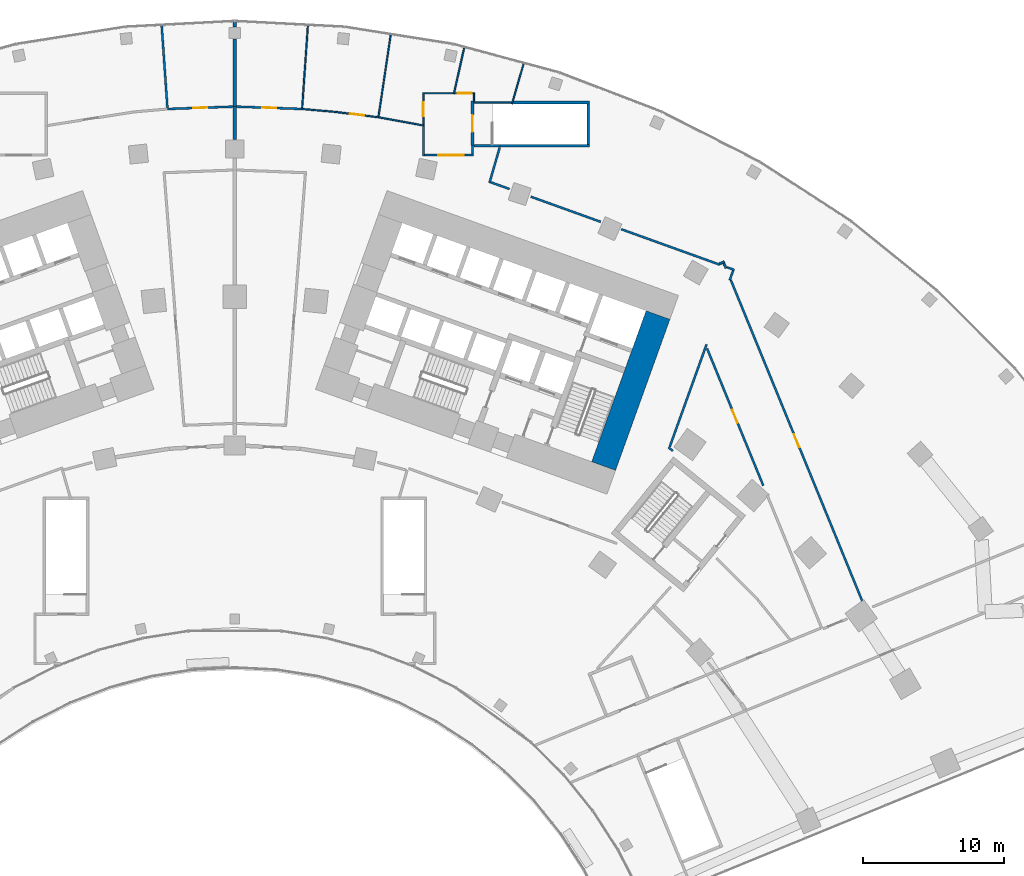
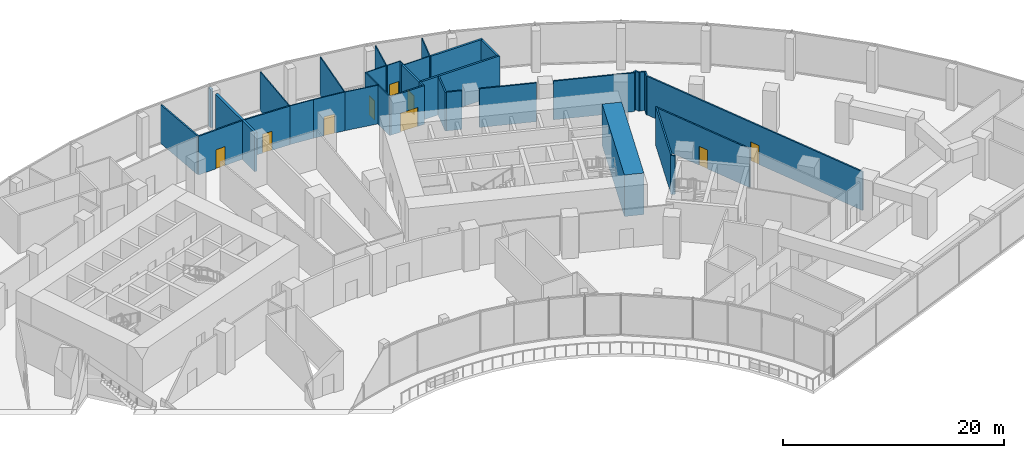
# One storey, part 28 of 33: 39 walls, 9 doors, 9 openings.
"""IFC4 building model written with IfcOpenShell, lengths in metres."""

from ifc_helpers import new_model, si_unit, direction, frame, frame_2d, origin, place, context, subcontext, project, spatial, rectangle, extrude, material, layer, layer_set, type_object, element, fill, save


model = new_model("IFC4")

# Units and contexts
model_context = context("Model", 3, precision=1e-05, world=origin(), true_north=direction((0.0, 1.0)))
body_context = subcontext(model_context, "Body", "Model", "MODEL_VIEW")
ifc_project = project(units=[si_unit("LENGTHUNIT", "METRE"), si_unit("AREAUNIT", "SQUARE_METRE"), si_unit("VOLUMEUNIT", "CUBIC_METRE"), si_unit("PLANEANGLEUNIT", "RADIAN"), si_unit("MASSUNIT", "GRAM", prefix="KILO")], contexts=[model_context])

# Site, building, storey
site_placement = place(None, origin())
site = spatial("IfcSite", under=ifc_project, at=site_placement, CompositionType="ELEMENT")
building_placement = place(site_placement, origin())
building = spatial("IfcBuilding", under=site, at=building_placement, Name="Stone Belt Terrace Tower", CompositionType="ELEMENT")
storey_placement = place(building_placement, frame((0.0, 0.0, 25.39990234375)))
storey = spatial("IfcBuildingStorey", under=building, at=storey_placement, Name="L05", CompositionType="ELEMENT", Elevation=25.39990234375)

# Walls
ifc_material_1 = material(Name="Concrete B30", Category="concrete")
ifc_layer_1 = layer(ifc_material_1, 0.25)
ifc_layer_set_1 = layer_set([ifc_layer_1], Name="Compartment wall 250")
wall_type_1 = type_object("IfcWallType", Name="Compartment wall 250", PredefinedType="SOLIDWALL", material=ifc_layer_set_1)
wall_1_placement = place(storey_placement, frame((0.0, 68.5, 0.0), z_axis=(0.0, 0.0, 1.0), x_axis=(0.0, 1.0, 0.0)))
element("IfcWall", 1, at=wall_1_placement, inside=storey, type_object=wall_type_1, Name="Compartment wall L05 10", PredefinedType="SOLIDWALL", context=body_context, shape_type="SweptSolid", body=[
    extrude(rectangle(XDim=4.807861328125, YDim=0.25, at=frame_2d((2.40380859375, 0.0))), origin(), (0.0, 0.0, 1.0), 4.280029296875),
])
wall_2_placement = place(storey_placement, frame((0.0, 74.14794921875, 0.0), z_axis=(0.0, 0.0, 1.0), x_axis=(0.0, 1.0, 0.0)))
element("IfcWall", 2, at=wall_2_placement, inside=storey, type_object=wall_type_1, Name="Compartment wall L05 10", PredefinedType="SOLIDWALL", context=body_context, shape_type="SweptSolid", body=[
    extrude(rectangle(XDim=0.35205078125, YDim=0.25, at=frame_2d((0.176025390625, 0.0))), origin(), (0.0, 0.0, 1.0), 4.280029296875),
])
ifc_material_2 = material(Name="Concrete B80", Category="concrete")
ifc_layer_2 = layer(ifc_material_2, 1.800048828125)
ifc_layer_set_2 = layer_set([ifc_layer_2], Name="Core wall 1800 B80")
wall_type_2 = type_object("IfcWallType", Name="Core wall 1800 B80", PredefinedType="SHEAR", material=ifc_layer_set_2)
wall_3_placement = place(storey_placement, frame((26.197509765625, 42.96728515625, 0.0), z_axis=(0.0, 0.0, 1.0), x_axis=(0.338625431531, 0.940921259788, 0.0)))
element("IfcWall", 3, at=wall_3_placement, inside=storey, type_object=wall_type_2, Name="Core B wall end_b L05", PredefinedType="SHEAR", context=body_context, shape_type="SweptSolid", body=[
    extrude(rectangle(XDim=11.400146484375, YDim=1.800048828125, at=frame_2d((5.7001953125, 0.0))), origin(), (0.0, 0.0, 1.0), 4.60009765625),
])
ifc_material_3 = material(Name="Fire-resistant glazing in steel frame", Category="steel")
ifc_layer_3 = layer(ifc_material_3, 0.25)
ifc_layer_set_3 = layer_set([ifc_layer_3], Name="Glazed compartment fire screen 250")
wall_type_3 = type_object("IfcWallType", Name="Glazed compartment fire screen 250", PredefinedType="PARTITIONING", material=ifc_layer_set_3)
wall_4_placement = place(storey_placement, frame((0.0, 66.158935546875, 0.0), z_axis=(0.0, 0.0, 1.0), x_axis=(0.0, 1.0, 0.0)))
element("IfcWall", 4, at=wall_4_placement, inside=storey, type_object=wall_type_3, Name="Compartment fire screen L05 9", PredefinedType="PARTITIONING", context=body_context, shape_type="SweptSolid", body=[
    extrude(rectangle(XDim=2.341064453125, YDim=0.25, at=frame_2d((1.17041015625, 0.0))), origin(), (0.0, 0.0, 1.0), 4.280029296875),
])
ifc_material_4 = material(Name="Gypsum board on steel stud partition", Category="steel")
ifc_layer_4 = layer(ifc_material_4, 0.14990234375)
ifc_layer_set_4 = layer_set([ifc_layer_4], Name="Podium partition 150")
wall_type_4 = type_object("IfcWallType", Name="Podium partition 150", PredefinedType="PARTITIONING", material=ifc_layer_set_4)
wall_5_placement = place(storey_placement, frame((-5.1962890625, 74.318603515625, 0.0), z_axis=(0.0, 0.0, 1.0), x_axis=(0.069353308763, -0.997592160436, 0.0)))
element("IfcWall", 5, at=wall_5_placement, inside=storey, type_object=wall_type_4, Name="Podium partition 150", PredefinedType="PARTITIONING", context=body_context, shape_type="SweptSolid", body=[
    extrude(rectangle(XDim=5.927978515625, YDim=0.14990234375, at=frame_2d((2.9638671875, 0.0))), origin(), (0.0, 0.0, 1.0), 4.280029296875),
])

# Wall, opening, door
wall_6_placement = place(storey_placement, frame((-4.778076171875, 68.330078125, 0.0), z_axis=(0.0, 0.0, 1.0), x_axis=(0.999367854262, 0.035551256896, 0.0)))
wall_6 = element("IfcWall", 6, at=wall_6_placement, inside=storey, type_object=wall_type_4, Name="Podium partition 150", PredefinedType="PARTITIONING", context=body_context, shape_type="SweptSolid", body=[
    extrude(rectangle(XDim=4.656005859375, YDim=0.14990234375, at=frame_2d((2.328125, 0.0))), origin(), (0.0, 0.0, 1.0), 4.280029296875),
])
opening_1_placement = place(wall_6_placement, frame((1.827880859375, 0.0, 0.0)))
opening_1 = element("IfcOpeningElement", 7, at=opening_1_placement, cuts=wall_6, Name="Opening L05-P12", PredefinedType="OPENING", context=body_context, shape_type="SweptSolid", body=[
    extrude(rectangle(XDim=1.0, YDim=2.10009765625, at=frame_2d((0.5, 1.050048828125))), frame((0.0, 0.0849609375, 0.0), z_axis=(0.0, -1.0, 0.0), x_axis=(1.0, 0.0, 0.0)), (0.0, 0.0, 1.0), 0.169921875),
])
ifc_material_5 = material(Name="Steel framed door leaf", Category="steel")
door_type_1 = type_object("IfcDoorType", Name="Podium door single 1000", OperationType="SINGLE_SWING_LEFT", PredefinedType="DOOR", material=ifc_material_5)
door_1_placement = place(opening_1_placement, origin())
door_1 = element("IfcDoor", 8, at=door_1_placement, inside=storey, type_object=door_type_1, Name="Podium door single 1000", OperationType="SINGLE_SWING_RIGHT", OverallHeight=2.10009765625, OverallWidth=1.0, PredefinedType="DOOR", context=body_context, shape_type="SweptSolid", body=[
    extrude(rectangle(XDim=1.0, YDim=2.10009765625, at=frame_2d((0.5, 1.050048828125))), frame((0.0, 0.02490234375, 0.0), z_axis=(0.0, -1.0, 0.0), x_axis=(1.0, 0.0, 0.0)), (0.0, 0.0, 1.0), 0.050048828125),
])
fill(opening_1, door_1)

wall_7_placement = place(storey_placement, frame((0.125, 68.49560546875, 0.0), z_axis=(0.0, 0.0, 1.0), x_axis=(0.999367854262, -0.035551256896, 0.0)))
wall_7 = element("IfcWall", 9, at=wall_7_placement, inside=storey, type_object=wall_type_4, Name="Podium partition 150", PredefinedType="PARTITIONING", context=body_context, shape_type="SweptSolid", body=[
    extrude(rectangle(XDim=4.656005859375, YDim=0.14990234375, at=frame_2d((2.328125, 0.0))), origin(), (0.0, 0.0, 1.0), 4.280029296875),
])
opening_2_placement = place(wall_7_placement, frame((1.827880859375, 0.0, 0.0)))
opening_2 = element("IfcOpeningElement", 10, at=opening_2_placement, cuts=wall_7, Name="Opening L05-P13", PredefinedType="OPENING", context=body_context, shape_type="SweptSolid", body=[
    extrude(rectangle(XDim=1.0, YDim=2.10009765625, at=frame_2d((0.5, 1.050048828125))), frame((0.0, 0.0849609375, 0.0), z_axis=(0.0, -1.0, 0.0), x_axis=(1.0, 0.0, 0.0)), (0.0, 0.0, 1.0), 0.169921875),
])
door_2_placement = place(opening_2_placement, origin())
door_2 = element("IfcDoor", 11, at=door_2_placement, inside=storey, type_object=door_type_1, Name="Podium door single 1000", OperationType="SINGLE_SWING_LEFT", OverallHeight=2.10009765625, OverallWidth=1.0, PredefinedType="DOOR", context=body_context, shape_type="SweptSolid", body=[
    extrude(rectangle(XDim=1.0, YDim=2.10009765625, at=frame_2d((0.5, 1.050048828125))), frame((0.0, 0.02490234375, 0.0), z_axis=(0.0, -1.0, 0.0), x_axis=(1.0, 0.0, 0.0)), (0.0, 0.0, 1.0), 0.050048828125),
])
fill(opening_2, door_2)

# Wall
wall_8_placement = place(storey_placement, frame((13.389892578125, 64.97509765625, 0.0), z_axis=(0.0, 0.0, 1.0), x_axis=(0.0, 1.0, 0.0)))
element("IfcWall", 12, at=wall_8_placement, inside=storey, type_object=wall_type_4, Name="Podium partition 150", PredefinedType="PARTITIONING", context=body_context, shape_type="SweptSolid", body=[
    extrude(rectangle(XDim=2.134033203125, YDim=0.14990234375, at=frame_2d((1.06689453125, 0.0))), origin(), (0.0, 0.0, 1.0), 4.280029296875),
])

# Wall, opening, door
wall_9_placement = place(storey_placement, frame((13.465087890625, 65.050048828125, 0.0), z_axis=(0.0, 0.0, 1.0), x_axis=(1.0, 0.0, 0.0)))
wall_9 = element("IfcWall", 13, at=wall_9_placement, inside=storey, type_object=wall_type_4, Name="Podium partition 150", PredefinedType="PARTITIONING", context=body_context, shape_type="SweptSolid", body=[
    extrude(rectangle(XDim=3.5, YDim=0.14990234375, at=frame_2d((1.75, 0.0))), origin(), (0.0, 0.0, 1.0), 4.280029296875),
])
opening_3_placement = place(wall_9_placement, frame((0.989990234375, 0.0, 0.0)))
opening_3 = element("IfcOpeningElement", 14, at=opening_3_placement, cuts=wall_9, Name="Opening L05-P37", PredefinedType="OPENING", context=body_context, shape_type="SweptSolid", body=[
    extrude(rectangle(XDim=1.800048828125, YDim=2.10009765625, at=frame_2d((0.89990234375, 1.050048828125))), frame((0.0, 0.0849609375, 0.0), z_axis=(0.0, -1.0, 0.0), x_axis=(1.0, 0.0, 0.0)), (0.0, 0.0, 1.0), 0.169921875),
])
door_type_2 = type_object("IfcDoorType", Name="Podium door double 1800", OperationType="DOUBLE_DOOR_SINGLE_SWING", PredefinedType="DOOR", material=ifc_material_5)
door_3_placement = place(opening_3_placement, origin())
door_3 = element("IfcDoor", 15, at=door_3_placement, inside=storey, type_object=door_type_2, Name="Podium door double 1800", OperationType="DOUBLE_DOOR_SINGLE_SWING", OverallHeight=2.10009765625, OverallWidth=1.800048828125, PredefinedType="DOOR", context=body_context, shape_type="SweptSolid", body=[
    extrude(rectangle(XDim=1.800048828125, YDim=2.10009765625, at=frame_2d((0.89990234375, 1.050048828125))), frame((0.0, 0.02490234375, 0.0), z_axis=(0.0, -1.0, 0.0), x_axis=(1.0, 0.0, 0.0)), (0.0, 0.0, 1.0), 0.050048828125),
])
fill(opening_3, door_3)

# Walls
wall_10_placement = place(storey_placement, frame((16.889892578125, 65.125, 0.0), z_axis=(0.0, 0.0, 1.0), x_axis=(0.0, 1.0, 0.0)))
element("IfcWall", 16, at=wall_10_placement, inside=storey, type_object=wall_type_4, Name="Podium partition 150", PredefinedType="PARTITIONING", context=body_context, shape_type="SweptSolid", body=[
    extrude(rectangle(XDim=0.594970703125, YDim=0.14990234375, at=frame_2d((0.29736328125, 0.0))), origin(), (0.0, 0.0, 1.0), 4.280029296875),
])
wall_11_placement = place(storey_placement, frame((18.089111328125, 63.077880859375, 0.0), z_axis=(0.0, 0.0, 1.0), x_axis=(0.276760808733, 0.960938840275, 0.0)))
element("IfcWall", 17, at=wall_11_placement, inside=storey, type_object=wall_type_4, Name="Podium partition 150", PredefinedType="PARTITIONING", context=body_context, shape_type="SweptSolid", body=[
    extrude(rectangle(XDim=2.62353515625, YDim=0.14990234375, at=frame_2d((1.311767578125, 0.0))), origin(), (0.0, 0.0, 1.0), 4.280029296875),
])
wall_12_placement = place(storey_placement, frame((18.1806640625, 63.12451171875, 0.0), z_axis=(0.0, 0.0, 1.0), x_axis=(0.940986326976, -0.338444578098, 0.0)))
element("IfcWall", 18, at=wall_12_placement, inside=storey, type_object=wall_type_4, Name="Podium partition 150", PredefinedType="PARTITIONING", context=body_context, shape_type="SweptSolid", body=[
    extrude(rectangle(XDim=1.415283203125, YDim=0.14990234375, at=frame_2d((0.70751953125, 0.0))), origin(), (0.0, 0.0, 1.0), 4.280029296875),
])
wall_13_placement = place(storey_placement, frame((21.0263671875, 62.1005859375, 0.0), z_axis=(0.0, 0.0, 1.0), x_axis=(0.940943450527, -0.338563764909, 0.0)))
element("IfcWall", 19, at=wall_13_placement, inside=storey, type_object=wall_type_4, Name="Podium partition 150", PredefinedType="PARTITIONING", context=body_context, shape_type="SweptSolid", body=[
    extrude(rectangle(XDim=5.27490234375, YDim=0.14990234375, at=frame_2d((2.637451171875, 0.0))), origin(), (0.0, 0.0, 1.0), 4.280029296875),
])
wall_14_placement = place(storey_placement, frame((27.44580078125, 59.790771484375, 0.0), z_axis=(0.0, 0.0, 1.0), x_axis=(0.940933828454, -0.338590505584, 0.0)))
element("IfcWall", 20, at=wall_14_placement, inside=storey, type_object=wall_type_4, Name="Podium partition 150", PredefinedType="PARTITIONING", context=body_context, shape_type="SweptSolid", body=[
    extrude(rectangle(XDim=7.441162109375, YDim=0.14990234375, at=frame_2d((3.720703125, 0.0))), origin(), (0.0, 0.0, 1.0), 4.280029296875),
])
wall_15_placement = place(storey_placement, frame((30.798828125, 44.301513671875, 0.0), z_axis=(0.0, 0.0, 1.0), x_axis=(0.76570486479, -0.643192086423, 0.0)))
element("IfcWall", 21, at=wall_15_placement, inside=storey, type_object=wall_type_4, Name="Podium partition 150", PredefinedType="PARTITIONING", context=body_context, shape_type="SweptSolid", body=[
    extrude(rectangle(XDim=0.406494140625, YDim=0.14990234375, at=frame_2d((0.203125, 0.0))), origin(), (0.0, 0.0, 1.0), 4.280029296875),
])
wall_16_placement = place(storey_placement, frame((30.893310546875, 44.342041015625, 0.0), z_axis=(0.0, 0.0, 1.0), x_axis=(0.338691469888, 0.940897490817, 0.0)))
element("IfcWall", 22, at=wall_16_placement, inside=storey, type_object=wall_type_4, Name="Podium partition 150", PredefinedType="PARTITIONING", context=body_context, shape_type="SweptSolid", body=[
    extrude(rectangle(XDim=7.719482421875, YDim=0.14990234375, at=frame_2d((3.85986328125, 0.0))), origin(), (0.0, 0.0, 1.0), 4.280029296875),
])

# Wall, opening, door
wall_17_placement = place(storey_placement, frame((33.54345703125, 51.320556640625, 0.0), z_axis=(0.0, 0.0, 1.0), x_axis=(0.379280396549, -0.925281784536, 0.0)))
wall_17 = element("IfcWall", 23, at=wall_17_placement, inside=storey, type_object=wall_type_4, Name="Podium partition 150", PredefinedType="PARTITIONING", context=body_context, shape_type="SweptSolid", body=[
    extrude(rectangle(XDim=10.5244140625, YDim=0.14990234375, at=frame_2d((5.26220703125, 0.0))), origin(), (0.0, 0.0, 1.0), 4.280029296875),
])
opening_4_placement = place(wall_17_placement, frame((4.72119140625, 0.0, 0.0)))
opening_4 = element("IfcOpeningElement", 24, at=opening_4_placement, cuts=wall_17, Name="Opening L05-P32", PredefinedType="OPENING", context=body_context, shape_type="SweptSolid", body=[
    extrude(rectangle(XDim=1.0, YDim=2.10009765625, at=frame_2d((0.5, 1.050048828125))), frame((0.0, 0.0849609375, 0.0), z_axis=(0.0, -1.0, 0.0), x_axis=(1.0, 0.0, 0.0)), (0.0, 0.0, 1.0), 0.169921875),
])
door_4_placement = place(opening_4_placement, origin())
door_4 = element("IfcDoor", 25, at=door_4_placement, inside=storey, type_object=door_type_1, Name="Podium door single 1000", OperationType="SINGLE_SWING_RIGHT", OverallHeight=2.10009765625, OverallWidth=1.0, PredefinedType="DOOR", context=body_context, shape_type="SweptSolid", body=[
    extrude(rectangle(XDim=1.0, YDim=2.10009765625, at=frame_2d((0.5, 1.050048828125))), frame((0.0, 0.02490234375, 0.0), z_axis=(0.0, -1.0, 0.0), x_axis=(1.0, 0.0, 0.0)), (0.0, 0.0, 1.0), 0.050048828125),
])
fill(opening_4, door_4)

# Walls
wall_18_placement = place(storey_placement, frame((34.446533203125, 57.351318359375, 0.0), z_axis=(0.0, 0.0, 1.0), x_axis=(0.931832991816, 0.362887414171, 0.0)))
element("IfcWall", 26, at=wall_18_placement, inside=storey, type_object=wall_type_4, Name="Podium partition 150", PredefinedType="PARTITIONING", context=body_context, shape_type="SweptSolid", body=[
    extrude(rectangle(XDim=0.34716796875, YDim=0.14990234375, at=frame_2d((0.173583984375, 0.0))), origin(), (0.0, 0.0, 1.0), 4.280029296875),
])
wall_19_placement = place(storey_placement, frame((34.72998046875, 57.381103515625, 0.0), z_axis=(0.0, 0.0, 1.0), x_axis=(0.401395188733, -0.915904963663, 0.0)))
element("IfcWall", 27, at=wall_19_placement, inside=storey, type_object=wall_type_4, Name="Podium partition 150", PredefinedType="PARTITIONING", context=body_context, shape_type="SweptSolid", body=[
    extrude(rectangle(XDim=0.377685546875, YDim=0.14990234375, at=frame_2d((0.18896484375, 0.0))), origin(), (0.0, 0.0, 1.0), 4.280029296875),
])
wall_20_placement = place(storey_placement, frame((34.937255859375, 57.0947265625, 0.0), z_axis=(0.0, 0.0, 1.0), x_axis=(0.940325382073, -0.340276616637, 0.0)))
element("IfcWall", 28, at=wall_20_placement, inside=storey, type_object=wall_type_4, Name="Podium partition 150", PredefinedType="PARTITIONING", context=body_context, shape_type="SweptSolid", body=[
    extrude(rectangle(XDim=0.58837890625, YDim=0.14990234375, at=frame_2d((0.294189453125, 0.0))), origin(), (0.0, 0.0, 1.0), 4.280029296875),
])
wall_21_placement = place(storey_placement, frame((35.152099609375, 56.174560546875, 0.0), z_axis=(0.0, 0.0, 1.0), x_axis=(0.338104492139, 0.941108576305, 0.0)))
element("IfcWall", 29, at=wall_21_placement, inside=storey, type_object=wall_type_4, Name="Podium partition 150", PredefinedType="PARTITIONING", context=body_context, shape_type="SweptSolid", body=[
    extrude(rectangle(XDim=0.717041015625, YDim=0.14990234375, at=frame_2d((0.3583984375, 0.0))), origin(), (0.0, 0.0, 1.0), 4.280029296875),
])

# Wall, opening, door
wall_22_placement = place(storey_placement, frame((35.232421875, 56.17626953125, 0.0), z_axis=(0.0, 0.0, 1.0), x_axis=(0.378909490347, -0.925433735134, 0.0)))
wall_22 = element("IfcWall", 30, at=wall_22_placement, inside=storey, type_object=wall_type_4, Name="Podium partition 150", PredefinedType="PARTITIONING", context=body_context, shape_type="SweptSolid", body=[
    extrude(rectangle(XDim=24.671142578125, YDim=0.14990234375, at=frame_2d((12.33544921875, 0.0))), origin(), (0.0, 0.0, 1.0), 4.280029296875),
])
opening_5_placement = place(wall_22_placement, frame((11.835693359375, 0.0, 0.0)))
opening_5 = element("IfcOpeningElement", 31, at=opening_5_placement, cuts=wall_22, Name="Opening L05-P31", PredefinedType="OPENING", context=body_context, shape_type="SweptSolid", body=[
    extrude(rectangle(XDim=1.0, YDim=2.10009765625, at=frame_2d((0.5, 1.050048828125))), frame((0.0, 0.0849609375, 0.0), z_axis=(0.0, -1.0, 0.0), x_axis=(1.0, 0.0, 0.0)), (0.0, 0.0, 1.0), 0.169921875),
])
door_5_placement = place(opening_5_placement, origin())
door_5 = element("IfcDoor", 32, at=door_5_placement, inside=storey, type_object=door_type_1, Name="Podium door single 1000", OperationType="SINGLE_SWING_LEFT", OverallHeight=2.10009765625, OverallWidth=1.0, PredefinedType="DOOR", context=body_context, shape_type="SweptSolid", body=[
    extrude(rectangle(XDim=1.0, YDim=2.10009765625, at=frame_2d((0.5, 1.050048828125))), frame((0.0, 0.02490234375, 0.0), z_axis=(0.0, -1.0, 0.0), x_axis=(1.0, 0.0, 0.0)), (0.0, 0.0, 1.0), 0.050048828125),
])
fill(opening_5, door_5)

ifc_layer_5 = layer(ifc_material_1, 0.199951171875)
ifc_layer_set_5 = layer_set([ifc_layer_5], Name="Podium stair and shaft wall 200")
wall_type_5 = type_object("IfcWallType", Name="Podium stair and shaft wall 200", PredefinedType="SOLIDWALL", material=ifc_layer_set_5)
wall_23_placement = place(storey_placement, frame((16.889892578125, 65.719970703125, 0.0), z_axis=(0.0, 0.0, 1.0), x_axis=(0.0, 1.0, 0.0)))
wall_23 = element("IfcWall", 33, at=wall_23_placement, inside=storey, type_object=wall_type_5, Name="Podium stair and shaft wall 200", PredefinedType="SOLIDWALL", context=body_context, shape_type="SweptSolid", body=[
    extrude(rectangle(XDim=3.159912109375, YDim=0.199951171875, at=frame_2d((1.580078125, 0.0))), origin(), (0.0, 0.0, 1.0), 4.280029296875),
])
opening_6_placement = place(wall_23_placement, frame((0.97998046875, 0.0, 0.0)))
opening_6 = element("IfcOpeningElement", 34, at=opening_6_placement, cuts=wall_23, Name="Opening L05-P08", PredefinedType="OPENING", context=body_context, shape_type="SweptSolid", body=[
    extrude(rectangle(XDim=1.199951171875, YDim=2.10009765625, at=frame_2d((0.60009765625, 1.050048828125))), frame((0.0, 0.10986328125, 0.0), z_axis=(0.0, -1.0, 0.0), x_axis=(1.0, 0.0, 0.0)), (0.0, 0.0, 1.0), 0.219970703125),
])
door_type_3 = type_object("IfcDoorType", Name="Podium door fire stair 1200", OperationType="SINGLE_SWING_LEFT", PredefinedType="DOOR", material=ifc_material_5)
door_6_placement = place(opening_6_placement, origin())
door_6 = element("IfcDoor", 35, at=door_6_placement, inside=storey, type_object=door_type_3, Name="Podium door fire stair 1200", OperationType="SINGLE_SWING_RIGHT", OverallHeight=2.10009765625, OverallWidth=1.199951171875, PredefinedType="DOOR", context=body_context, shape_type="SweptSolid", body=[
    extrude(rectangle(XDim=1.199951171875, YDim=2.10009765625, at=frame_2d((0.60009765625, 1.050048828125))), frame((0.0, 0.02490234375, 0.0), z_axis=(0.0, -1.0, 0.0), x_axis=(1.0, 0.0, 0.0)), (0.0, 0.0, 1.0), 0.050048828125),
])
fill(opening_6, door_6)

# Walls
wall_24_placement = place(storey_placement, frame((16.989990234375, 65.719970703125, 0.0), z_axis=(0.0, 0.0, 1.0), x_axis=(1.0, 0.0, 0.0)))
element("IfcWall", 36, at=wall_24_placement, inside=storey, type_object=wall_type_5, Name="Podium stair and shaft wall 200", PredefinedType="SOLIDWALL", context=body_context, shape_type="SweptSolid", body=[
    extrude(rectangle(XDim=1.847900390625, YDim=0.199951171875, at=frame_2d((0.923828125, 0.0))), origin(), (0.0, 0.0, 1.0), 4.280029296875),
])
wall_25_placement = place(storey_placement, frame((18.840087890625, 65.719970703125, 0.0), z_axis=(0.0, 0.0, 1.0), x_axis=(1.0, 0.0, 0.0)))
element("IfcWall", 37, at=wall_25_placement, inside=storey, type_object=wall_type_5, Name="Podium stair and shaft wall 200", PredefinedType="SOLIDWALL", context=body_context, shape_type="SweptSolid", body=[
    extrude(rectangle(XDim=6.369873046875, YDim=0.199951171875, at=frame_2d((3.18505859375, 0.0))), origin(), (0.0, 0.0, 1.0), 4.280029296875),
])
wall_26_placement = place(storey_placement, frame((19.800048828125, 68.780029296875, 0.0), z_axis=(0.0, 0.0, 1.0), x_axis=(1.0, 0.0, 0.0)))
element("IfcWall", 38, at=wall_26_placement, inside=storey, type_object=wall_type_5, Name="Podium stair and shaft wall 200", PredefinedType="SOLIDWALL", context=body_context, shape_type="SweptSolid", body=[
    extrude(rectangle(XDim=5.409912109375, YDim=0.199951171875, at=frame_2d((2.705078125, 0.0))), origin(), (0.0, 0.0, 1.0), 4.280029296875),
])
wall_27_placement = place(storey_placement, frame((25.110107421875, 65.820068359375, 0.0), z_axis=(0.0, 0.0, 1.0), x_axis=(0.0, 1.0, 0.0)))
element("IfcWall", 39, at=wall_27_placement, inside=storey, type_object=wall_type_5, Name="Podium stair and shaft wall 200", PredefinedType="SOLIDWALL", context=body_context, shape_type="SweptSolid", body=[
    extrude(rectangle(XDim=2.85986328125, YDim=0.199951171875, at=frame_2d((1.429931640625, 0.0))), origin(), (0.0, 0.0, 1.0), 4.280029296875),
])
ifc_material_6 = material(Name="Moisture-resistant board on steel stud partition", Category="steel")
ifc_layer_6 = layer(ifc_material_6, 0.10009765625)
ifc_layer_set_6 = layer_set([ifc_layer_6], Name="Podium toilet partition 100")
wall_type_6 = type_object("IfcWallType", Name="Podium toilet partition 100", PredefinedType="PARTITIONING", material=ifc_layer_set_6)
wall_28_placement = place(storey_placement, frame((4.78515625, 68.40478515625, 0.0), z_axis=(0.0, 0.0, 1.0), x_axis=(0.069353308763, 0.997592160436, 0.0)))
element("IfcWall", 40, at=wall_28_placement, inside=storey, type_object=wall_type_6, Name="Podium toilet partition 100", PredefinedType="PARTITIONING", context=body_context, shape_type="SweptSolid", body=[
    extrude(rectangle(XDim=5.927978515625, YDim=0.10009765625, at=frame_2d((2.9638671875, 0.0))), origin(), (0.0, 0.0, 1.0), 4.280029296875),
])
wall_29_placement = place(storey_placement, frame((4.78125, 68.329833984375, 0.0), z_axis=(0.0, 0.0, 1.0), x_axis=(0.996133536224, -0.087852023369, 0.0)))
element("IfcWall", 41, at=wall_29_placement, inside=storey, type_object=wall_type_6, Name="Podium toilet partition 100", PredefinedType="PARTITIONING", context=body_context, shape_type="SweptSolid", body=[
    extrude(rectangle(XDim=2.38720703125, YDim=0.10009765625, at=frame_2d((1.193603515625, 0.0))), origin(), (0.0, 0.0, 1.0), 4.280029296875),
])

# Wall, opening, door
wall_30_placement = place(storey_placement, frame((7.160888671875, 68.119873046875, 0.0), z_axis=(0.0, 0.0, 1.0), x_axis=(0.992280330442, -0.124015103186, 0.0)))
wall_30 = element("IfcWall", 42, at=wall_30_placement, inside=storey, type_object=wall_type_6, Name="Podium toilet partition 100", PredefinedType="PARTITIONING", context=body_context, shape_type="SweptSolid", body=[
    extrude(rectangle(XDim=3.061279296875, YDim=0.10009765625, at=frame_2d((1.53076171875, 0.0))), origin(), (0.0, 0.0, 1.0), 4.280029296875),
])
opening_7_placement = place(wall_30_placement, frame((1.03076171875, 0.0, 0.0)))
opening_7 = element("IfcOpeningElement", 43, at=opening_7_placement, cuts=wall_30, Name="Opening L05-P14", PredefinedType="OPENING", context=body_context, shape_type="SweptSolid", body=[
    extrude(rectangle(XDim=1.0, YDim=2.10009765625, at=frame_2d((0.5, 1.050048828125))), frame((0.0, 0.06005859375, 0.0), z_axis=(0.0, -1.0, 0.0), x_axis=(1.0, 0.0, 0.0)), (0.0, 0.0, 1.0), 0.1201171875),
])
door_7_placement = place(opening_7_placement, origin())
door_7 = element("IfcDoor", 44, at=door_7_placement, inside=storey, type_object=door_type_1, Name="Podium door single 1000", OperationType="SINGLE_SWING_RIGHT", OverallHeight=2.10009765625, OverallWidth=1.0, PredefinedType="DOOR", context=body_context, shape_type="SweptSolid", body=[
    extrude(rectangle(XDim=1.0, YDim=2.10009765625, at=frame_2d((0.5, 1.050048828125))), frame((0.0, 0.02490234375, 0.0), z_axis=(0.0, -1.0, 0.0), x_axis=(1.0, 0.0, 0.0)), (0.0, 0.0, 1.0), 0.050048828125),
])
fill(opening_7, door_7)

# Walls
wall_31_placement = place(storey_placement, frame((10.20751953125, 67.78955078125, 0.0), z_axis=(0.0, 0.0, 1.0), x_axis=(0.147563412065, 0.989052596892, 0.0)))
element("IfcWall", 45, at=wall_31_placement, inside=storey, type_object=wall_type_6, Name="Podium toilet partition 100", PredefinedType="PARTITIONING", context=body_context, shape_type="SweptSolid", body=[
    extrude(rectangle(XDim=5.9462890625, YDim=0.10009765625, at=frame_2d((2.97314453125, 0.0))), origin(), (0.0, 0.0, 1.0), 4.280029296875),
])
wall_32_placement = place(storey_placement, frame((10.201416015625, 67.73974609375, 0.0), z_axis=(0.0, 0.0, 1.0), x_axis=(0.983876974876, -0.17884657757, 0.0)))
element("IfcWall", 46, at=wall_32_placement, inside=storey, type_object=wall_type_6, Name="Podium toilet partition 100", PredefinedType="PARTITIONING", context=body_context, shape_type="SweptSolid", body=[
    extrude(rectangle(XDim=3.317138671875, YDim=0.10009765625, at=frame_2d((1.65869140625, 0.0))), origin(), (0.0, 0.0, 1.0), 4.280029296875),
])

# Wall, opening, door
wall_33_placement = place(storey_placement, frame((13.389892578125, 67.219970703125, 0.0), z_axis=(0.0, 0.0, 1.0), x_axis=(0.0, 1.0, 0.0)))
wall_33 = element("IfcWall", 47, at=wall_33_placement, inside=storey, type_object=wall_type_6, Name="Podium toilet partition 100", PredefinedType="PARTITIONING", context=body_context, shape_type="SweptSolid", body=[
    extrude(rectangle(XDim=2.280029296875, YDim=0.10009765625, at=frame_2d((1.14013671875, 0.0))), origin(), (0.0, 0.0, 1.0), 4.280029296875),
])
opening_8_placement = place(wall_33_placement, frame((0.60498046875, 0.0, 0.0)))
opening_8 = element("IfcOpeningElement", 48, at=opening_8_placement, cuts=wall_33, Name="Opening L05-P15", PredefinedType="OPENING", context=body_context, shape_type="SweptSolid", body=[
    extrude(rectangle(XDim=1.0, YDim=2.10009765625, at=frame_2d((0.5, 1.050048828125))), frame((0.0, 0.06005859375, 0.0), z_axis=(0.0, -1.0, 0.0), x_axis=(1.0, 0.0, 0.0)), (0.0, 0.0, 1.0), 0.1201171875),
])
door_8_placement = place(opening_8_placement, origin())
door_8 = element("IfcDoor", 49, at=door_8_placement, inside=storey, type_object=door_type_1, Name="Podium door single 1000", OperationType="SINGLE_SWING_LEFT", OverallHeight=2.10009765625, OverallWidth=1.0, PredefinedType="DOOR", context=body_context, shape_type="SweptSolid", body=[
    extrude(rectangle(XDim=1.0, YDim=2.10009765625, at=frame_2d((0.5, 1.050048828125))), frame((0.0, 0.02490234375, 0.0), z_axis=(0.0, -1.0, 0.0), x_axis=(1.0, 0.0, 0.0)), (0.0, 0.0, 1.0), 0.050048828125),
])
fill(opening_8, door_8)

# Walls
wall_34_placement = place(storey_placement, frame((13.43994140625, 69.449951171875, 0.0), z_axis=(0.0, 0.0, 1.0), x_axis=(1.0, 0.0, 0.0)))
element("IfcWall", 50, at=wall_34_placement, inside=storey, type_object=wall_type_6, Name="Podium toilet partition 100", PredefinedType="PARTITIONING", context=body_context, shape_type="SweptSolid", body=[
    extrude(rectangle(XDim=2.070068359375, YDim=0.10009765625, at=frame_2d((1.03515625, 0.0))), origin(), (0.0, 0.0, 1.0), 4.280029296875),
])
wall_35_placement = place(storey_placement, frame((15.558837890625, 69.39990234375, 0.0), z_axis=(0.0, 0.0, 1.0), x_axis=(0.218820636793, 0.97576509925, 0.0)))
element("IfcWall", 51, at=wall_35_placement, inside=storey, type_object=wall_type_6, Name="Podium toilet partition 100", PredefinedType="PARTITIONING", context=body_context, shape_type="SweptSolid", body=[
    extrude(rectangle(XDim=3.377197265625, YDim=0.10009765625, at=frame_2d((1.6884765625, 0.0))), origin(), (0.0, 0.0, 1.0), 4.280029296875),
])

# Wall, opening, door
wall_36_placement = place(storey_placement, frame((15.62109375, 69.449951171875, 0.0), z_axis=(0.0, 0.0, 1.0), x_axis=(1.0, 0.0, 0.0)))
wall_36 = element("IfcWall", 52, at=wall_36_placement, inside=storey, type_object=wall_type_6, Name="Podium toilet partition 100", PredefinedType="PARTITIONING", context=body_context, shape_type="SweptSolid", body=[
    extrude(rectangle(XDim=1.4189453125, YDim=0.10009765625, at=frame_2d((0.70947265625, 0.0))), origin(), (0.0, 0.0, 1.0), 4.280029296875),
])
opening_9_placement = place(wall_36_placement, frame((0.20947265625, 0.0, 0.0)))
opening_9 = element("IfcOpeningElement", 53, at=opening_9_placement, cuts=wall_36, Name="Opening L05-P16", PredefinedType="OPENING", context=body_context, shape_type="SweptSolid", body=[
    extrude(rectangle(XDim=1.0, YDim=2.10009765625, at=frame_2d((0.5, 1.050048828125))), frame((0.0, 0.06005859375, 0.0), z_axis=(0.0, -1.0, 0.0), x_axis=(1.0, 0.0, 0.0)), (0.0, 0.0, 1.0), 0.1201171875),
])
door_9_placement = place(opening_9_placement, origin())
door_9 = element("IfcDoor", 54, at=door_9_placement, inside=storey, type_object=door_type_1, Name="Podium door single 1000", OperationType="SINGLE_SWING_RIGHT", OverallHeight=2.10009765625, OverallWidth=1.0, PredefinedType="DOOR", context=body_context, shape_type="SweptSolid", body=[
    extrude(rectangle(XDim=1.0, YDim=2.10009765625, at=frame_2d((0.5, 1.050048828125))), frame((0.0, 0.02490234375, 0.0), z_axis=(0.0, -1.0, 0.0), x_axis=(1.0, 0.0, 0.0)), (0.0, 0.0, 1.0), 0.050048828125),
])
fill(opening_9, door_9)

# Walls
wall_37_placement = place(storey_placement, frame((16.989990234375, 68.8798828125, 0.0), z_axis=(0.0, 0.0, 1.0), x_axis=(0.0, 1.0, 0.0)))
element("IfcWall", 55, at=wall_37_placement, inside=storey, type_object=wall_type_6, Name="Podium toilet partition 100", PredefinedType="PARTITIONING", context=body_context, shape_type="SweptSolid", body=[
    extrude(rectangle(XDim=0.52001953125, YDim=0.10009765625, at=frame_2d((0.260009765625, 0.0))), origin(), (0.0, 0.0, 1.0), 4.280029296875),
])
wall_38_placement = place(storey_placement, frame((16.989990234375, 68.780029296875, 0.0), z_axis=(0.0, 0.0, 1.0), x_axis=(1.0, 0.0, 0.0)))
element("IfcWall", 56, at=wall_38_placement, inside=storey, type_object=wall_type_6, Name="Podium toilet partition 100", PredefinedType="PARTITIONING", context=body_context, shape_type="SweptSolid", body=[
    extrude(rectangle(XDim=2.6640625, YDim=0.10009765625, at=frame_2d((1.33203125, 0.0))), origin(), (0.0, 0.0, 1.0), 4.280029296875),
])
wall_39_placement = place(storey_placement, frame((19.69140625, 68.679931640625, 0.0), z_axis=(0.0, 0.0, 1.0), x_axis=(0.276051663251, 0.961142798556, 0.0)))
element("IfcWall", 57, at=wall_39_placement, inside=storey, type_object=wall_type_6, Name="Podium toilet partition 100", PredefinedType="PARTITIONING", context=body_context, shape_type="SweptSolid", body=[
    extrude(rectangle(XDim=3.052978515625, YDim=0.10009765625, at=frame_2d((1.5263671875, 0.0))), origin(), (0.0, 0.0, 1.0), 4.280029296875),
])

save(model, "model.ifc")
